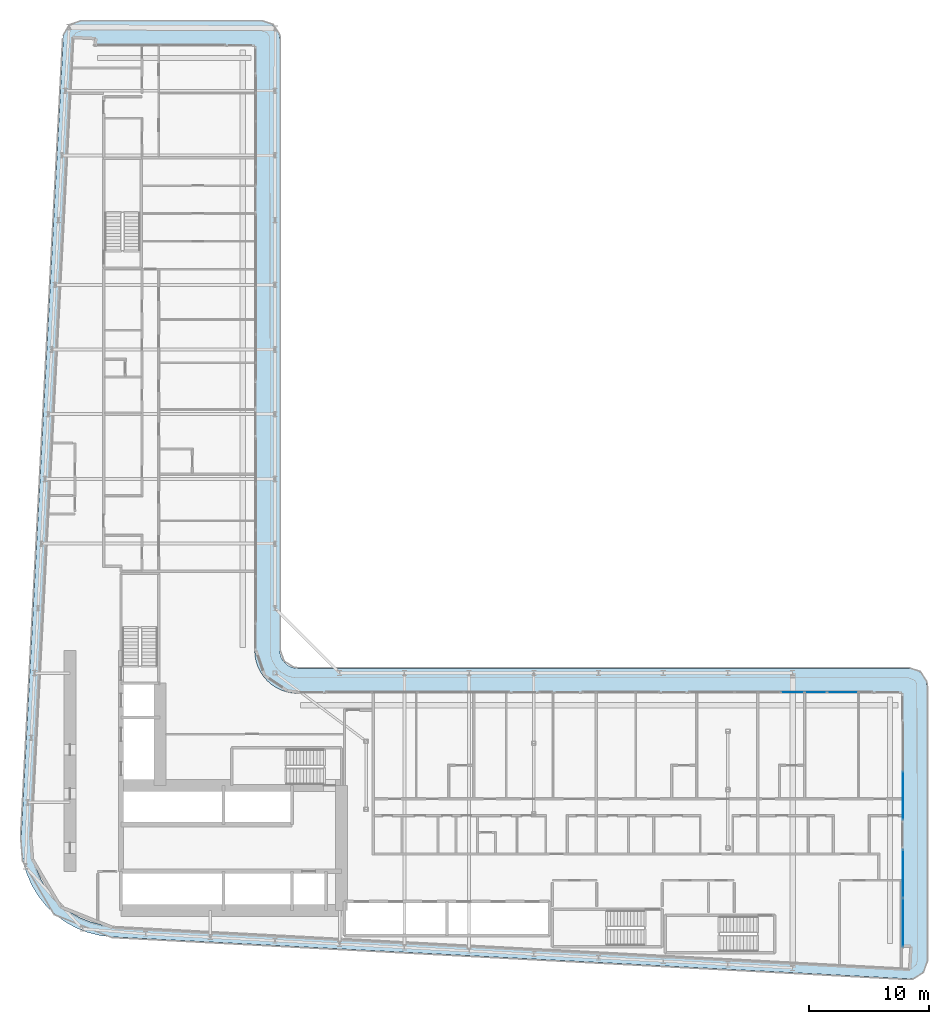
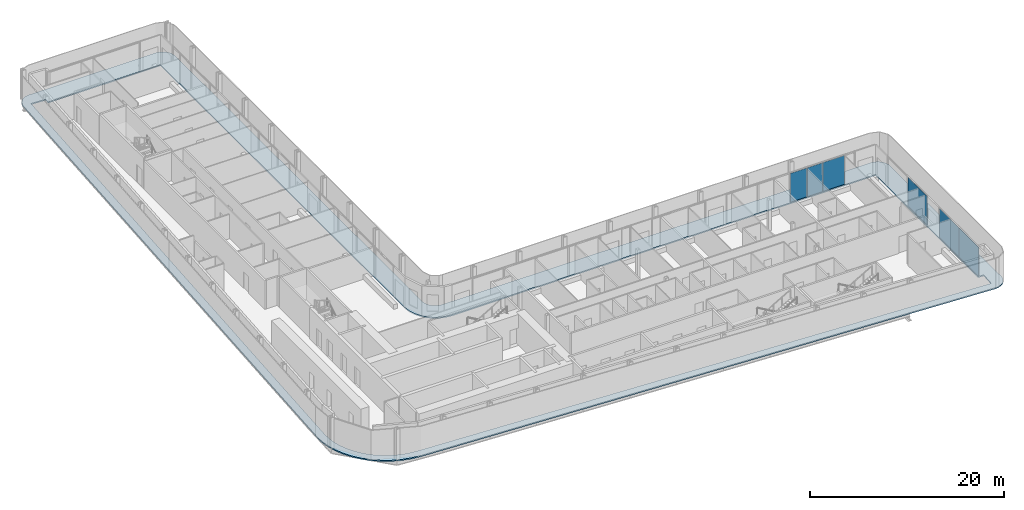
# One storey, part 12 of 29: 6 plates, 1 slab, 3 elements without a shape of their own.
"""IFC4 building model written with IfcOpenShell, lengths in metres."""

from ifc_helpers import new_model, si_unit, direction, frame, origin, origin_2d, place, context, subcontext, project, spatial, polyline, rectangle, outline, extrude, material, layer, layer_set, type_object, element, aggregate, save


model = new_model("IFC4")

# Units and contexts
model_context = context("Model", 3, precision=1e-05, world=origin(), true_north=direction((0.0, 1.0)))
body_context = subcontext(model_context, "Body", "Model", "MODEL_VIEW")
ifc_project = project(units=[si_unit("LENGTHUNIT", "METRE"), si_unit("AREAUNIT", "SQUARE_METRE"), si_unit("VOLUMEUNIT", "CUBIC_METRE"), si_unit("PLANEANGLEUNIT", "RADIAN"), si_unit("MASSUNIT", "GRAM", prefix="KILO")], contexts=[model_context])

# Site, building, storey
site_placement = place(None, origin())
site = spatial("IfcSite", under=ifc_project, at=site_placement, CompositionType="ELEMENT")
building_placement = place(site_placement, origin())
building = spatial("IfcBuilding", under=site, at=building_placement, Name="Kheshtan School and Residences Tower", CompositionType="ELEMENT")
storey_placement = place(building_placement, frame((0.0, 0.0, 61.699951171875)))
storey = spatial("IfcBuildingStorey", under=building, at=storey_placement, Name="L14", CompositionType="ELEMENT", Elevation=61.699951171875)

# Curtain wall, plates
ifc_material_1 = material(Name="Clear low-e glass in thermally broken aluminium frame", Category="aluminium")
ifc_layer_1 = layer(ifc_material_1, 0.199951171875)
ifc_layer_set_1 = layer_set([ifc_layer_1], Name="Curtain wall CW-L")
curtain_wall_type = type_object("IfcCurtainWallType", Name="Curtain wall CW-L", PredefinedType="NOTDEFINED", material=ifc_layer_set_1)
curtain_wall_1_placement = place(storey_placement, origin())
curtain_wall_1 = element("IfcCurtainWall", 1, at=curtain_wall_1_placement, inside=storey, type_object=curtain_wall_type, Name="Curtain wall CWL12m", PredefinedType="NOTDEFINED")
ifc_layer_2 = layer(ifc_material_1, 0.031982421875)
ifc_layer_set_2 = layer_set([ifc_layer_2], Name="CW-L glass panel")
plate_type = type_object("IfcPlateType", Name="CW-L glass panel", PredefinedType="CURTAIN_PANEL", material=ifc_layer_set_2)
plate_1_placement = place(storey_placement, frame((90.7880859375, 44.0, 0.0), z_axis=(0.0, 0.0, 1.0), x_axis=(1.0, 0.0, 0.0)))
plate_1 = element("IfcPlate", 2, at=plate_1_placement, type_object=plate_type, Name="CWL12m panel 1.1", PredefinedType="CURTAIN_PANEL", context=body_context, shape_type="SweptSolid", body=[
    extrude(rectangle(XDim=1.964111328125, YDim=0.031982421875, at=origin_2d()), origin(), (0.0, 0.0, 1.0), 3.6298828125),
])
plate_2_placement = place(storey_placement, frame((92.7265625, 44.0, 0.0), z_axis=(0.0, 0.0, 1.0), x_axis=(1.0, 0.0, 0.0)))
plate_2 = element("IfcPlate", 3, at=plate_2_placement, type_object=plate_type, Name="CWL12m panel 2.1", PredefinedType="CURTAIN_PANEL", context=body_context, shape_type="SweptSolid", body=[
    extrude(rectangle(XDim=1.79296875, YDim=0.031982421875, at=origin_2d()), origin(), (0.0, 0.0, 1.0), 3.6298828125),
])
plate_3_placement = place(storey_placement, frame((94.9765625, 44.0, 0.0), z_axis=(0.0, 0.0, 1.0), x_axis=(1.0, 0.0, 0.0)))
plate_3 = element("IfcPlate", 4, at=plate_3_placement, type_object=plate_type, Name="CWL12m panel 3.1", PredefinedType="CURTAIN_PANEL", context=body_context, shape_type="SweptSolid", body=[
    extrude(rectangle(XDim=2.5869140625, YDim=0.031982421875, at=origin_2d()), origin(), (0.0, 0.0, 1.0), 3.6298828125),
])
aggregate(curtain_wall_1, [plate_1, plate_2, plate_3])

# Curtain wall, plate
curtain_wall_2_placement = place(storey_placement, origin())
curtain_wall_2 = element("IfcCurtainWall", 5, at=curtain_wall_2_placement, inside=storey, type_object=curtain_wall_type, Name="Curtain wall CWL13b", PredefinedType="NOTDEFINED")
plate_4_placement = place(storey_placement, frame((100.0, 35.370361328125, 0.0), z_axis=(0.0, 0.0, 1.0), x_axis=(0.0, -1.0, 0.0)))
plate_4 = element("IfcPlate", 6, at=plate_4_placement, type_object=plate_type, Name="CWL13b panel 2.1", PredefinedType="CURTAIN_PANEL", context=body_context, shape_type="SweptSolid", body=[
    extrude(rectangle(XDim=4.006591796875, YDim=0.031982421875, at=origin_2d()), origin(), (0.0, 0.0, 1.0), 3.6298828125),
])
aggregate(curtain_wall_2, [plate_4])

# Curtain wall, plates
curtain_wall_3_placement = place(storey_placement, origin())
curtain_wall_3 = element("IfcCurtainWall", 7, at=curtain_wall_3_placement, inside=storey, type_object=curtain_wall_type, Name="Curtain wall CWL13b", PredefinedType="NOTDEFINED")
plate_5_placement = place(storey_placement, frame((100.0, 28.84375, 0.0), z_axis=(0.0, 0.0, 1.0), x_axis=(0.0, -1.0, 0.0)))
plate_5 = element("IfcPlate", 8, at=plate_5_placement, type_object=plate_type, Name="CWL13b panel 1.1", PredefinedType="CURTAIN_PANEL", context=body_context, shape_type="SweptSolid", body=[
    extrude(rectangle(XDim=4.006591796875, YDim=0.031982421875, at=origin_2d()), origin(), (0.0, 0.0, 1.0), 3.6298828125),
])
plate_6_placement = place(storey_placement, frame((100.0, 24.77734375, 0.0), z_axis=(0.0, 0.0, 1.0), x_axis=(0.0, -1.0, 0.0)))
plate_6 = element("IfcPlate", 9, at=plate_6_placement, type_object=plate_type, Name="CWL13b panel 2.1", PredefinedType="CURTAIN_PANEL", context=body_context, shape_type="SweptSolid", body=[
    extrude(rectangle(XDim=4.006591796875, YDim=0.031982421875, at=origin_2d()), origin(), (0.0, 0.0, 1.0), 3.6298828125),
])
aggregate(curtain_wall_3, [plate_5, plate_6])

# Slab
ifc_material_2 = material(Name="Concrete C40/50", Category="concrete")
ifc_layer_3 = layer(ifc_material_2, 0.14990234375)
ifc_layer_set_3 = layer_set([ifc_layer_3], Name="Loggia balcony slab 150 Concrete C40/50")
slab_type = type_object("IfcSlabType", Name="Loggia balcony slab 150 Concrete C40/50", PredefinedType="FLOOR", material=ifc_layer_set_3)
slab_placement = place(storey_placement, frame((0.0, 0.0, -0.14990234375)))
element("IfcSlab", 10, at=slab_placement, inside=storey, type_object=slab_type, Name="Loggia balcony slab L14", PredefinedType="FLOOR", context=body_context, shape_type="SweptSolid", body=[
    extrude(outline(polyline([(28.4580078125, 26.222900390625), (28.45703125, 26.222900390625), (28.45703125, 26.22412109375), (28.4560546875, 26.22412109375), (27.81494140625, 27.0390625), (27.281005859375, 27.93798828125), (26.867919921875, 28.89990234375), (26.583984375, 29.89990234375), (26.583984375, 29.906982421875), (26.43408203125, 30.943115234375), (26.419921875, 31.989013671875), (29.925048828125, 98.5791015625), (29.930908203125, 98.626953125), (29.930908203125, 98.6279296875), (29.929931640625, 98.6279296875), (29.929931640625, 98.62890625), (29.928955078125, 98.62890625), (29.928955078125, 98.6298828125), (29.927978515625, 98.6298828125), (29.927978515625, 98.631103515625), (29.927001953125, 98.631103515625), (29.927001953125, 98.632080078125), (29.927001953125, 98.633056640625), (29.945068359375, 98.781005859375), (29.945068359375, 98.783935546875), (29.945068359375, 98.784912109375), (29.946044921875, 98.784912109375), (29.946044921875, 98.785888671875), (29.947021484375, 98.785888671875), (29.947021484375, 98.787109375), (29.947998046875, 98.787109375), (29.948974609375, 98.787109375), (29.948974609375, 98.7880859375), (29.949951171875, 98.7880859375), (29.949951171875, 98.7890625), (29.949951171875, 98.791015625), (30.0029296875, 98.98388671875), (30.083984375, 99.175048828125), (30.18896484375, 99.35302734375), (30.31103515625, 99.507080078125), (30.31201171875, 99.507080078125), (30.31201171875, 99.508056640625), (30.31298828125, 99.508056640625), (30.31298828125, 99.509033203125), (30.31396484375, 99.509033203125), (30.31396484375, 99.510009765625), (30.31494140625, 99.510009765625), (30.31494140625, 99.510986328125), (30.31591796875, 99.510986328125), (30.31591796875, 99.511962890625), (30.31689453125, 99.511962890625), (30.31689453125, 99.512939453125), (30.318115234375, 99.512939453125), (30.320068359375, 99.512939453125), (30.321044921875, 99.512939453125), (30.321044921875, 99.513916015625), (30.468017578125, 99.656982421875), (30.468994140625, 99.656982421875), (30.468994140625, 99.657958984375), (30.469970703125, 99.657958984375), (30.469970703125, 99.658935546875), (30.470947265625, 99.658935546875), (30.470947265625, 99.659912109375), (30.471923828125, 99.659912109375), (30.471923828125, 99.660888671875), (30.472900390625, 99.660888671875), (30.472900390625, 99.662109375), (30.47412109375, 99.662109375), (30.47412109375, 99.6630859375), (30.47509765625, 99.6630859375), (30.47509765625, 99.6640625), (30.635986328125, 99.777099609375), (30.820068359375, 99.873046875), (31.007080078125, 99.943115234375), (31.013916015625, 99.943115234375), (31.217041015625, 99.986083984375), (31.423095703125, 100.0), (46.5, 100.0), (46.696044921875, 99.987060546875), (46.887939453125, 99.948974609375), (46.89501953125, 99.948974609375), (47.073974609375, 99.885986328125), (47.243896484375, 99.801025390625), (47.2451171875, 99.801025390625), (47.2470703125, 99.801025390625), (47.248046875, 99.801025390625), (47.248046875, 99.802001953125), (47.2490234375, 99.802001953125), (47.2490234375, 99.802978515625), (47.25, 99.802978515625), (47.2529296875, 99.802978515625), (47.25390625, 99.802978515625), (47.25390625, 99.802001953125), (47.2548828125, 99.802001953125), (47.2548828125, 99.801025390625), (47.256103515625, 99.801025390625), (47.256103515625, 99.800048828125), (47.257080078125, 99.800048828125), (47.257080078125, 99.799072265625), (47.258056640625, 99.799072265625), (47.258056640625, 99.798095703125), (47.412109375, 99.696044921875), (47.4130859375, 99.696044921875), (47.4130859375, 99.695068359375), (47.4140625, 99.695068359375), (47.4140625, 99.694091796875), (47.4140625, 99.68994140625), (47.4140625, 99.68896484375), (47.4150390625, 99.68896484375), (47.4150390625, 99.68798828125), (47.416015625, 99.68798828125), (47.416015625, 99.68701171875), (47.4169921875, 99.68701171875), (47.4169921875, 99.68603515625), (47.554931640625, 99.568115234375), (47.554931640625, 99.56689453125), (47.555908203125, 99.56689453125), (47.555908203125, 99.56591796875), (47.556884765625, 99.56591796875), (47.556884765625, 99.56494140625), (47.55810546875, 99.56494140625), (47.55810546875, 99.56396484375), (47.55908203125, 99.56396484375), (47.55908203125, 99.56298828125), (47.56005859375, 99.56298828125), (47.56005859375, 99.56201171875), (47.56103515625, 99.56201171875), (47.56201171875, 99.56103515625), (47.56201171875, 99.56005859375), (47.56298828125, 99.56005859375), (47.56298828125, 99.55908203125), (47.56396484375, 99.55908203125), (47.56396484375, 99.55810546875), (47.56494140625, 99.55810546875), (47.56494140625, 99.556884765625), (47.56591796875, 99.556884765625), (47.56591796875, 99.555908203125), (47.56689453125, 99.555908203125), (47.56689453125, 99.554931640625), (47.568115234375, 99.554931640625), (47.68505859375, 99.41796875), (47.68603515625, 99.41796875), (47.68603515625, 99.4169921875), (47.68701171875, 99.4169921875), (47.68701171875, 99.416015625), (47.68798828125, 99.416015625), (47.68798828125, 99.4150390625), (47.68896484375, 99.4150390625), (47.68896484375, 99.4140625), (47.68994140625, 99.4140625), (47.694091796875, 99.4140625), (47.695068359375, 99.4140625), (47.695068359375, 99.4130859375), (47.696044921875, 99.4130859375), (47.696044921875, 99.412109375), (47.797119140625, 99.259033203125), (47.798095703125, 99.259033203125), (47.798095703125, 99.258056640625), (47.799072265625, 99.258056640625), (47.799072265625, 99.257080078125), (47.800048828125, 99.257080078125), (47.800048828125, 99.256103515625), (47.801025390625, 99.256103515625), (47.801025390625, 99.2548828125), (47.802001953125, 99.2548828125), (47.802001953125, 99.25390625), (47.802978515625, 99.25390625), (47.802978515625, 99.2529296875), (47.802978515625, 99.25), (47.802978515625, 99.2490234375), (47.802001953125, 99.2490234375), (47.802001953125, 99.248046875), (47.801025390625, 99.248046875), (47.801025390625, 99.2470703125), (47.801025390625, 99.243896484375), (47.801025390625, 99.242919921875), (47.885986328125, 99.073974609375), (47.948974609375, 98.89501953125), (47.948974609375, 98.887939453125), (47.987060546875, 98.696044921875), (48.0, 98.5), (48.0, 47.5), (48.012939453125, 47.303955078125), (48.051025390625, 47.113037109375), (48.051025390625, 47.10693359375), (48.051025390625, 47.10595703125), (48.114013671875, 46.926025390625), (48.200927734375, 46.75), (48.31005859375, 46.5869140625), (48.431884765625, 46.444091796875), (48.43310546875, 46.444091796875), (48.43310546875, 46.443115234375), (48.43408203125, 46.443115234375), (48.43408203125, 46.44189453125), (48.43505859375, 46.44189453125), (48.43505859375, 46.44091796875), (48.43603515625, 46.44091796875), (48.43603515625, 46.43994140625), (48.43701171875, 46.43994140625), (48.43701171875, 46.43896484375), (48.43798828125, 46.43896484375), (48.43896484375, 46.43798828125), (48.43896484375, 46.43701171875), (48.43994140625, 46.43701171875), (48.43994140625, 46.43603515625), (48.44091796875, 46.43603515625), (48.44091796875, 46.43505859375), (48.44189453125, 46.43505859375), (48.44189453125, 46.43408203125), (48.443115234375, 46.43408203125), (48.443115234375, 46.43310546875), (48.444091796875, 46.43310546875), (48.444091796875, 46.431884765625), (48.5869140625, 46.31005859375), (48.75, 46.200927734375), (48.926025390625, 46.114013671875), (49.10595703125, 46.051025390625), (49.10693359375, 46.051025390625), (49.113037109375, 46.051025390625), (49.303955078125, 46.012939453125), (49.5, 46.0), (100.5, 46.0), (100.696044921875, 45.987060546875), (100.887939453125, 45.948974609375), (100.89501953125, 45.948974609375), (101.073974609375, 45.885986328125), (101.241943359375, 45.801025390625), (101.242919921875, 45.801025390625), (101.2470703125, 45.801025390625), (101.248046875, 45.801025390625), (101.248046875, 45.802001953125), (101.2490234375, 45.802001953125), (101.2490234375, 45.802978515625), (101.25, 45.802978515625), (101.2529296875, 45.802978515625), (101.25390625, 45.802978515625), (101.25390625, 45.802001953125), (101.2548828125, 45.802001953125), (101.2548828125, 45.801025390625), (101.256103515625, 45.801025390625), (101.256103515625, 45.800048828125), (101.257080078125, 45.800048828125), (101.257080078125, 45.799072265625), (101.258056640625, 45.799072265625), (101.258056640625, 45.798095703125), (101.259033203125, 45.798095703125), (101.259033203125, 45.797119140625), (101.260009765625, 45.797119140625), (101.260009765625, 45.7958984375), (101.412109375, 45.696044921875), (101.4130859375, 45.696044921875), (101.4130859375, 45.695068359375), (101.4140625, 45.695068359375), (101.4140625, 45.694091796875), (101.4140625, 45.68994140625), (101.4140625, 45.68896484375), (101.4150390625, 45.68896484375), (101.4150390625, 45.68798828125), (101.416015625, 45.68798828125), (101.416015625, 45.68701171875), (101.4169921875, 45.68701171875), (101.4169921875, 45.68603515625), (101.41796875, 45.68603515625), (101.41796875, 45.68505859375), (101.4189453125, 45.68505859375), (101.4189453125, 45.68408203125), (101.554931640625, 45.568115234375), (101.554931640625, 45.56689453125), (101.555908203125, 45.56689453125), (101.555908203125, 45.56591796875), (101.556884765625, 45.56591796875), (101.556884765625, 45.56494140625), (101.55810546875, 45.56494140625), (101.55810546875, 45.56396484375), (101.55908203125, 45.56396484375), (101.55908203125, 45.56298828125), (101.56005859375, 45.56298828125), (101.56005859375, 45.56201171875), (101.56103515625, 45.56201171875), (101.56201171875, 45.56103515625), (101.56201171875, 45.56005859375), (101.56298828125, 45.56005859375), (101.56298828125, 45.55908203125), (101.56396484375, 45.55908203125), (101.56396484375, 45.55810546875), (101.56494140625, 45.55810546875), (101.56494140625, 45.556884765625), (101.56591796875, 45.556884765625), (101.56591796875, 45.555908203125), (101.56689453125, 45.555908203125), (101.56689453125, 45.554931640625), (101.568115234375, 45.554931640625), (101.681884765625, 45.4208984375), (101.68310546875, 45.4208984375), (101.68310546875, 45.419921875), (101.68408203125, 45.419921875), (101.68408203125, 45.4189453125), (101.68505859375, 45.4189453125), (101.68505859375, 45.41796875), (101.68603515625, 45.41796875), (101.68603515625, 45.4169921875), (101.68701171875, 45.4169921875), (101.68701171875, 45.416015625), (101.68798828125, 45.416015625), (101.68798828125, 45.4150390625), (101.68896484375, 45.4150390625), (101.68896484375, 45.4140625), (101.68994140625, 45.4140625), (101.694091796875, 45.4140625), (101.695068359375, 45.4140625), (101.695068359375, 45.4130859375), (101.696044921875, 45.4130859375), (101.696044921875, 45.412109375), (101.7939453125, 45.261962890625), (101.794921875, 45.261962890625), (101.794921875, 45.260986328125), (101.7958984375, 45.260986328125), (101.7958984375, 45.260009765625), (101.797119140625, 45.260009765625), (101.797119140625, 45.259033203125), (101.798095703125, 45.259033203125), (101.798095703125, 45.258056640625), (101.799072265625, 45.258056640625), (101.799072265625, 45.257080078125), (101.800048828125, 45.257080078125), (101.800048828125, 45.256103515625), (101.801025390625, 45.256103515625), (101.801025390625, 45.2548828125), (101.802001953125, 45.2548828125), (101.802001953125, 45.25390625), (101.802978515625, 45.25390625), (101.802978515625, 45.2529296875), (101.802978515625, 45.25), (101.802978515625, 45.2490234375), (101.802001953125, 45.2490234375), (101.802001953125, 45.248046875), (101.801025390625, 45.248046875), (101.801025390625, 45.2470703125), (101.801025390625, 45.240966796875), (101.801025390625, 45.239990234375), (101.885986328125, 45.073974609375), (101.948974609375, 44.89501953125), (101.948974609375, 44.887939453125), (101.987060546875, 44.696044921875), (102.0, 44.5), (102.0, 21.5810546875), (101.986083984375, 21.37890625), (101.945068359375, 21.179931640625), (101.945068359375, 21.173095703125), (101.8779296875, 20.989013671875), (101.785888671875, 20.80810546875), (101.6708984375, 20.64306640625), (101.6708984375, 20.64208984375), (101.6708984375, 20.64111328125), (101.6708984375, 20.639892578125), (101.672119140625, 20.639892578125), (101.672119140625, 20.638916015625), (101.672119140625, 20.636962890625), (101.672119140625, 20.635986328125), (101.6708984375, 20.635986328125), (101.6708984375, 20.635009765625), (101.5380859375, 20.491943359375), (101.534912109375, 20.489013671875), (101.533935546875, 20.489013671875), (101.533935546875, 20.488037109375), (101.532958984375, 20.488037109375), (101.531005859375, 20.488037109375), (101.530029296875, 20.488037109375), (101.530029296875, 20.489013671875), (101.529052734375, 20.489013671875), (101.528076171875, 20.489013671875), (101.527099609375, 20.489013671875), (101.3759765625, 20.364013671875), (101.2041015625, 20.256103515625), (101.01904296875, 20.174072265625), (100.8310546875, 20.116943359375), (100.823974609375, 20.116943359375), (100.6240234375, 20.0859375), (100.4208984375, 20.0830078125), (33.989013671875, 23.580078125), (33.94189453125, 23.5859375), (33.94091796875, 23.5859375), (33.93994140625, 23.5859375), (33.93994140625, 23.5849609375), (33.93896484375, 23.5849609375), (33.93896484375, 23.583984375), (33.93798828125, 23.583984375), (33.93798828125, 23.5830078125), (33.93701171875, 23.5830078125), (33.93701171875, 23.58203125), (33.93603515625, 23.58203125), (33.93505859375, 23.58203125), (32.952880859375, 23.697998046875), (32.949951171875, 23.697998046875), (32.948974609375, 23.697998046875), (32.948974609375, 23.698974609375), (32.947998046875, 23.698974609375), (32.947998046875, 23.699951171875), (32.947021484375, 23.699951171875), (32.947021484375, 23.700927734375), (32.947021484375, 23.702880859375), (32.947021484375, 23.7041015625), (32.946044921875, 23.7041015625), (32.946044921875, 23.705078125), (32.945068359375, 23.705078125), (32.944091796875, 23.705078125), (31.93603515625, 23.9609375), (31.928955078125, 23.9609375), (30.964111328125, 24.34912109375), (30.051025390625, 24.860107421875), (29.218994140625, 25.47900390625), (29.218994140625, 25.47998046875), (29.218017578125, 25.47998046875), (29.218017578125, 25.48095703125), (29.217041015625, 25.48095703125), (29.217041015625, 25.48193359375), (29.216064453125, 25.48193359375), (29.216064453125, 25.48291015625), (29.215087890625, 25.48291015625), (29.215087890625, 25.48388671875), (29.214111328125, 25.48388671875), (29.214111328125, 25.485107421875), (29.212890625, 25.485107421875), (29.212890625, 25.486083984375), (29.2119140625, 25.486083984375), (28.466064453125, 26.217041015625), (28.466064453125, 26.218017578125), (28.465087890625, 26.218017578125), (28.462890625, 26.218017578125), (28.4619140625, 26.218017578125), (28.4619140625, 26.218994140625), (28.4609375, 26.218994140625), (28.4609375, 26.219970703125), (28.4599609375, 26.219970703125), (28.4599609375, 26.220947265625), (28.458984375, 26.220947265625), (28.458984375, 26.221923828125), (28.4580078125, 26.221923828125), (28.4580078125, 26.222900390625)]), holes=[polyline([(29.12890625, 26.824951171875), (29.12890625, 26.823974609375), (29.1298828125, 26.823974609375), (29.1298828125, 26.822998046875), (29.131103515625, 26.822998046875), (29.131103515625, 26.822021484375), (29.132080078125, 26.822021484375), (29.132080078125, 26.821044921875), (29.133056640625, 26.821044921875), (29.133056640625, 26.820068359375), (29.134033203125, 26.820068359375), (29.7958984375, 26.173095703125), (29.7958984375, 26.172119140625), (29.797119140625, 26.172119140625), (29.798095703125, 26.172119140625), (29.799072265625, 26.172119140625), (29.799072265625, 26.1708984375), (29.800048828125, 26.1708984375), (29.800048828125, 26.169921875), (29.801025390625, 26.169921875), (29.801025390625, 26.1689453125), (29.802001953125, 26.1689453125), (29.802001953125, 26.16796875), (29.802978515625, 26.16796875), (29.802978515625, 26.1669921875), (29.803955078125, 26.1669921875), (29.803955078125, 26.166015625), (30.541015625, 25.616943359375), (31.35205078125, 25.1630859375), (32.208984375, 24.819091796875), (32.2099609375, 24.819091796875), (32.216064453125, 24.819091796875), (33.114990234375, 24.590087890625), (34.06591796875, 24.47705078125), (100.43798828125, 20.98291015625), (100.465087890625, 20.98388671875), (100.466064453125, 20.98388671875), (100.467041015625, 20.98388671875), (100.467041015625, 20.985107421875), (100.468017578125, 20.985107421875), (100.468017578125, 20.986083984375), (100.468017578125, 20.987060546875), (100.55810546875, 22.676025390625), (100.55810546875, 22.677001953125), (100.55810546875, 22.677978515625), (100.556884765625, 22.677978515625), (100.556884765625, 22.678955078125), (100.555908203125, 22.678955078125), (100.554931640625, 22.678955078125), (99.90087890625, 22.714111328125), (99.89990234375, 22.714111328125), (99.89990234375, 22.715087890625), (99.89990234375, 43.89794921875), (99.89990234375, 43.89892578125), (99.89892578125, 43.89892578125), (99.89892578125, 43.89990234375), (99.89794921875, 43.89990234375), (49.429931640625, 43.89990234375), (49.030029296875, 43.927001953125), (48.569091796875, 44.01806640625), (48.56201171875, 44.01806640625), (48.1201171875, 44.169921875), (47.697021484375, 44.37890625), (47.30810546875, 44.638916015625), (46.95703125, 44.944091796875), (46.95703125, 44.945068359375), (46.9560546875, 44.945068359375), (46.9560546875, 44.946044921875), (46.955078125, 44.946044921875), (46.955078125, 44.947021484375), (46.9541015625, 44.947021484375), (46.9541015625, 44.947998046875), (46.952880859375, 44.947998046875), (46.952880859375, 44.948974609375), (46.951904296875, 44.948974609375), (46.951904296875, 44.949951171875), (46.951904296875, 44.950927734375), (46.950927734375, 44.950927734375), (46.950927734375, 44.951904296875), (46.949951171875, 44.951904296875), (46.948974609375, 44.951904296875), (46.948974609375, 44.952880859375), (46.947998046875, 44.952880859375), (46.947998046875, 44.9541015625), (46.947021484375, 44.9541015625), (46.947021484375, 44.955078125), (46.946044921875, 44.955078125), (46.946044921875, 44.9560546875), (46.945068359375, 44.9560546875), (46.945068359375, 44.95703125), (46.944091796875, 44.95703125), (46.638916015625, 45.30810546875), (46.37890625, 45.697021484375), (46.169921875, 46.1201171875), (46.01806640625, 46.56201171875), (46.01806640625, 46.569091796875), (45.927001953125, 47.030029296875), (45.89990234375, 47.429931640625), (45.89990234375, 97.89794921875), (45.89990234375, 97.89892578125), (45.89892578125, 97.89892578125), (45.89892578125, 97.89990234375), (45.89794921875, 97.89990234375), (32.492919921875, 97.89990234375), (32.491943359375, 97.89990234375), (32.52099609375, 98.43896484375), (32.52099609375, 98.43994140625), (32.52099609375, 98.44091796875), (32.52001953125, 98.44091796875), (32.52001953125, 98.44189453125), (32.51904296875, 98.44189453125), (32.51806640625, 98.44189453125), (30.8291015625, 98.531982421875), (30.827880859375, 98.531982421875), (30.826904296875, 98.531982421875), (30.826904296875, 98.531005859375), (30.825927734375, 98.531005859375), (30.825927734375, 98.530029296875), (30.825927734375, 98.529052734375), (30.822021484375, 98.5009765625), (27.320068359375, 31.970947265625), (27.3330078125, 31.013916015625), (27.466064453125, 30.093994140625), (27.466064453125, 30.087890625), (27.466064453125, 30.0869140625), (27.718017578125, 29.200927734375), (28.0849609375, 28.345947265625), (28.55908203125, 27.550048828125), (29.126953125, 26.825927734375), (29.1279296875, 26.825927734375), (29.1279296875, 26.824951171875), (29.12890625, 26.824951171875)])]), origin(), (0.0, 0.0, 1.0), 0.14990234375),
])

save(model, "model.ifc")
